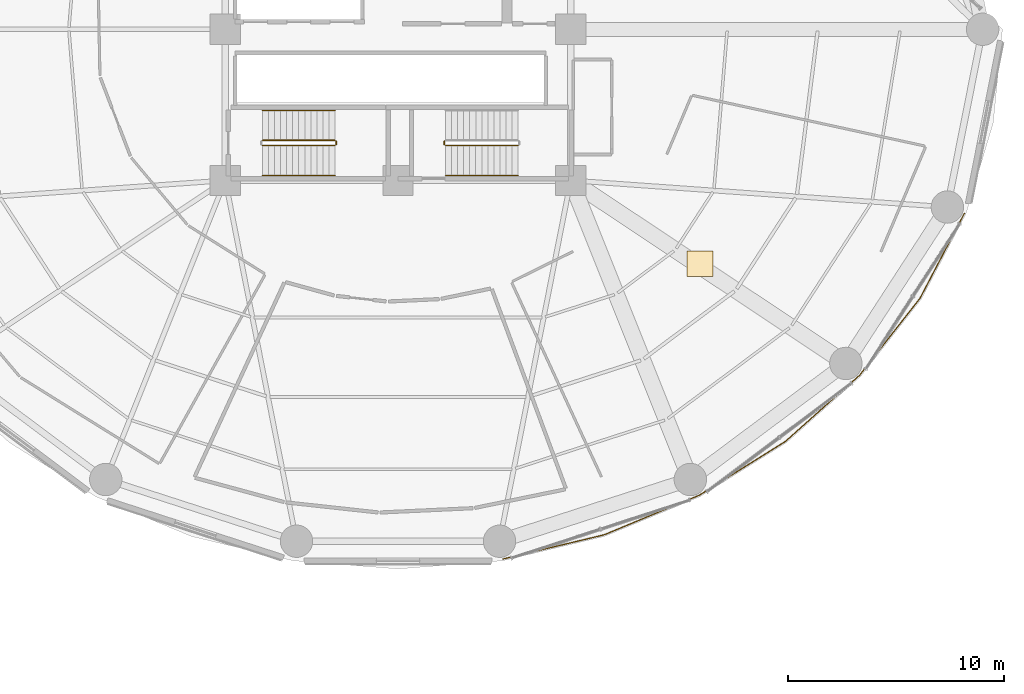
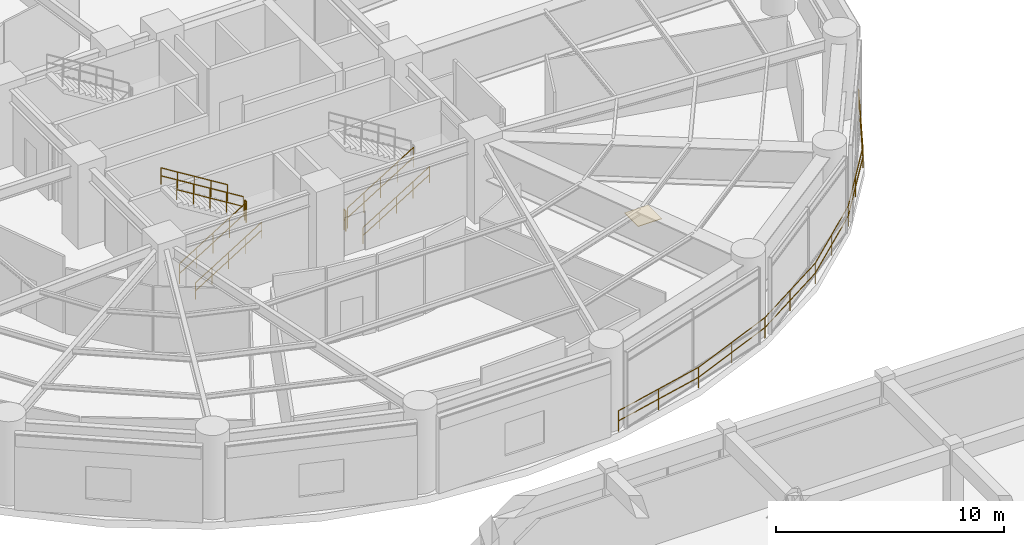
# One storey, part 49 of 52: 9 railings, 1 covering.
"""IFC4 building model written with IfcOpenShell, lengths in metres."""

from ifc_helpers import new_model, si_unit, direction, frame, origin, origin_2d, place, context, subcontext, project, spatial, polyline, rectangle, outline, extrude, source, transform, mapped, material, layer, layer_set, type_object, element, save


model = new_model("IFC4")

# Units and contexts
model_context = context("Model", 3, precision=1e-05, world=origin(), true_north=direction((0.0, 1.0)))
body_context = subcontext(model_context, "Body", "Model", "MODEL_VIEW")
ifc_project = project(units=[si_unit("LENGTHUNIT", "METRE"), si_unit("AREAUNIT", "SQUARE_METRE"), si_unit("VOLUMEUNIT", "CUBIC_METRE"), si_unit("PLANEANGLEUNIT", "RADIAN"), si_unit("MASSUNIT", "GRAM", prefix="KILO")], contexts=[model_context])

# Site, building, storey
site_placement = place(None, origin())
site = spatial("IfcSite", under=ifc_project, at=site_placement, CompositionType="ELEMENT")
building_placement = place(site_placement, origin())
building = spatial("IfcBuilding", under=site, at=building_placement, Name="Kelanora Arch Commons", CompositionType="ELEMENT")
storey_placement = place(building_placement, frame((0.0, 0.0, 13.5)))
storey = spatial("IfcBuildingStorey", under=building, at=storey_placement, Name="L03", CompositionType="ELEMENT", Elevation=13.5)

# Railings
ifc_material_1 = material(Name="Laminated glass and stainless steel balustrade", Category="steel")
railing_type_1 = type_object("IfcRailingType", Name="RAIL-BAL-112", PredefinedType="BALUSTRADE", material=ifc_material_1)
railing_1_placement = place(storey_placement, frame((78.8466796875, 33.458251953125, 0.0)))
element("IfcRailing", 1, at=railing_1_placement, inside=storey, type_object=railing_type_1, Name="Concave Courtyard Overlook Balustrade L03-SE", PredefinedType="BALUSTRADE", context=body_context, shape_type="SweptSolid", body=[
    extrude(outline(polyline([(0.02392578125, 0.0), (0.011962890625, 0.020751953125), (-0.011962890625, 0.020751953125), (-0.02392578125, 0.0), (-0.011962890625, -0.020751953125), (0.011962890625, -0.020751953125), (0.02392578125, 0.0)])), frame((0.0, 0.0, 1.09619140625), z_axis=(0.972593299497, 0.232512953989, 0.0), x_axis=(-0.232512953989, 0.972593299497, 0.0)), (0.0, 0.0, 1.0), 4.83203125),
    extrude(outline(polyline([(0.02392578125, 0.0), (0.011962890625, 0.020751953125), (-0.011962890625, 0.020751953125), (-0.02392578125, 0.0), (-0.011962890625, -0.020751953125), (0.011962890625, -0.020751953125), (0.02392578125, 0.0)])), frame((0.0, 0.0, 0.56005859375), z_axis=(0.972593299497, 0.232512953989, 0.0), x_axis=(-0.232512953989, 0.972593299497, 0.0)), (0.0, 0.0, 1.0), 4.83203125),
    extrude(outline(polyline([(0.02392578125, 0.0), (0.011962890625, 0.020751953125), (-0.011962890625, 0.020751953125), (-0.02392578125, 0.0), (-0.011962890625, -0.020751953125), (0.011962890625, -0.020751953125), (0.02392578125, 0.0)])), frame((4.69970703125, 1.12353515625, 1.09619140625), z_axis=(0.923288490051, 0.384107230001, 0.0), x_axis=(-0.384107230001, 0.923288490051, 0.0)), (0.0, 0.0, 1.0), 4.776611328125),
    extrude(outline(polyline([(0.02392578125, 0.0), (0.011962890625, 0.020751953125), (-0.011962890625, 0.020751953125), (-0.02392578125, 0.0), (-0.011962890625, -0.020751953125), (0.011962890625, -0.020751953125), (0.02392578125, 0.0)])), frame((4.69970703125, 1.12353515625, 0.56005859375), z_axis=(0.923288490051, 0.384107230001, 0.0), x_axis=(-0.384107230001, 0.923288490051, 0.0)), (0.0, 0.0, 1.0), 4.776611328125),
    extrude(outline(polyline([(0.02392578125, 0.0), (0.011962890625, 0.020751953125), (-0.011962890625, 0.020751953125), (-0.02392578125, 0.0), (-0.011962890625, -0.020751953125), (0.011962890625, -0.020751953125), (0.02392578125, 0.0)])), frame((9.10986328125, 2.958251953125, 1.09619140625), z_axis=(0.848097490712, 0.529840208221, 0.0), x_axis=(-0.529840208221, 0.848097490712, 0.0)), (0.0, 0.0, 1.0), 4.700927734375),
    extrude(outline(polyline([(0.02392578125, 0.0), (0.011962890625, 0.020751953125), (-0.011962890625, 0.020751953125), (-0.02392578125, 0.0), (-0.011962890625, -0.020751953125), (0.011962890625, -0.020751953125), (0.02392578125, 0.0)])), frame((9.10986328125, 2.958251953125, 0.56005859375), z_axis=(0.848097490712, 0.529840208221, 0.0), x_axis=(-0.529840208221, 0.848097490712, 0.0)), (0.0, 0.0, 1.0), 4.700927734375),
    extrude(outline(polyline([(0.02392578125, 0.0), (0.011962890625, 0.020751953125), (-0.011962890625, 0.020751953125), (-0.02392578125, 0.0), (-0.011962890625, -0.020751953125), (0.011962890625, -0.020751953125), (0.02392578125, 0.0)])), frame((13.0966796875, 5.448974609375, 1.09619140625), z_axis=(0.746161121454, 0.665765409758, 0.0), x_axis=(-0.665765409758, 0.746161121454, 0.0)), (0.0, 0.0, 1.0), 4.61279296875),
    extrude(outline(polyline([(0.02392578125, 0.0), (0.011962890625, 0.020751953125), (-0.011962890625, 0.020751953125), (-0.02392578125, 0.0), (-0.011962890625, -0.020751953125), (0.011962890625, -0.020751953125), (0.02392578125, 0.0)])), frame((13.0966796875, 5.448974609375, 0.56005859375), z_axis=(0.746161121454, 0.665765409758, 0.0), x_axis=(-0.665765409758, 0.746161121454, 0.0)), (0.0, 0.0, 1.0), 4.61279296875),
    extrude(outline(polyline([(0.02392578125, 0.0), (0.011962890625, 0.020751953125), (-0.011962890625, 0.020751953125), (-0.02392578125, 0.0), (-0.011962890625, -0.020751953125), (0.011962890625, -0.020751953125), (0.02392578125, 0.0)])), frame((16.53857421875, 8.52001953125, 1.09619140625), z_axis=(0.617327980499, 0.786705894533, 0.0), x_axis=(-0.786705894533, 0.617327980499, 0.0)), (0.0, 0.0, 1.0), 4.523193359375),
    extrude(outline(polyline([(0.02392578125, 0.0), (0.011962890625, 0.020751953125), (-0.011962890625, 0.020751953125), (-0.02392578125, 0.0), (-0.011962890625, -0.020751953125), (0.011962890625, -0.020751953125), (0.02392578125, 0.0)])), frame((16.53857421875, 8.52001953125, 0.56005859375), z_axis=(0.617327980499, 0.786705894533, 0.0), x_axis=(-0.786705894533, 0.617327980499, 0.0)), (0.0, 0.0, 1.0), 4.523193359375),
    extrude(outline(polyline([(0.02392578125, 0.0), (0.011962890625, 0.020751953125), (-0.011962890625, 0.020751953125), (-0.02392578125, 0.0), (-0.011962890625, -0.020751953125), (0.011962890625, -0.020751953125), (0.02392578125, 0.0)])), frame((19.330810546875, 12.078369140625, 1.09619140625), z_axis=(0.463187508091, 0.88626030733, 0.0), x_axis=(-0.88626030733, 0.463187508091, 0.0)), (0.0, 0.0, 1.0), 4.44287109375),
    extrude(outline(polyline([(0.02392578125, 0.0), (0.011962890625, 0.020751953125), (-0.011962890625, 0.020751953125), (-0.02392578125, 0.0), (-0.011962890625, -0.020751953125), (0.011962890625, -0.020751953125), (0.02392578125, 0.0)])), frame((19.330810546875, 12.078369140625, 0.56005859375), z_axis=(0.463187508091, 0.88626030733, 0.0), x_axis=(-0.88626030733, 0.463187508091, 0.0)), (0.0, 0.0, 1.0), 4.44287109375),
    extrude(outline(polyline([(0.02099609375, 0.0), (0.010498046875, 0.01806640625), (-0.010498046875, 0.01806640625), (-0.02099609375, 0.0), (-0.010498046875, -0.01806640625), (0.010498046875, -0.01806640625), (0.02099609375, 0.0)])), origin(), (0.0, 0.0, 1.0), 1.072021484375),
    extrude(outline(polyline([(0.02099609375, 0.0), (0.010498046875, 0.01806640625), (-0.010498046875, 0.01806640625), (-0.02099609375, 0.0), (-0.010498046875, -0.01806640625), (0.010498046875, -0.01806640625), (0.02099609375, 0.0)])), frame((2.349853515625, 0.561767578125, 0.0)), (0.0, 0.0, 1.0), 1.072021484375),
    extrude(outline(polyline([(0.02099609375, 0.0), (0.010498046875, 0.01806640625), (-0.010498046875, 0.01806640625), (-0.02099609375, 0.0), (-0.010498046875, -0.01806640625), (0.010498046875, -0.01806640625), (0.02099609375, 0.0)])), frame((4.69970703125, 1.12353515625, 0.0)), (0.0, 0.0, 1.0), 1.072021484375),
    extrude(outline(polyline([(0.02099609375, 0.0), (0.010498046875, 0.01806640625), (-0.010498046875, 0.01806640625), (-0.02099609375, 0.0), (-0.010498046875, -0.01806640625), (0.010498046875, -0.01806640625), (0.02099609375, 0.0)])), frame((6.90478515625, 2.041015625, 0.0)), (0.0, 0.0, 1.0), 1.072021484375),
    extrude(outline(polyline([(0.02099609375, 0.0), (0.010498046875, 0.01806640625), (-0.010498046875, 0.01806640625), (-0.02099609375, 0.0), (-0.010498046875, -0.01806640625), (0.010498046875, -0.01806640625), (0.02099609375, 0.0)])), frame((9.10986328125, 2.958251953125, 0.0)), (0.0, 0.0, 1.0), 1.072021484375),
    extrude(outline(polyline([(0.02099609375, 0.0), (0.010498046875, 0.01806640625), (-0.010498046875, 0.01806640625), (-0.02099609375, 0.0), (-0.010498046875, -0.01806640625), (0.010498046875, -0.01806640625), (0.02099609375, 0.0)])), frame((11.103271484375, 4.20361328125, 0.0)), (0.0, 0.0, 1.0), 1.072021484375),
    extrude(outline(polyline([(0.02099609375, 0.0), (0.010498046875, 0.01806640625), (-0.010498046875, 0.01806640625), (-0.02099609375, 0.0), (-0.010498046875, -0.01806640625), (0.010498046875, -0.01806640625), (0.02099609375, 0.0)])), frame((13.0966796875, 5.448974609375, 0.0)), (0.0, 0.0, 1.0), 1.072021484375),
    extrude(outline(polyline([(0.02099609375, 0.0), (0.010498046875, 0.01806640625), (-0.010498046875, 0.01806640625), (-0.02099609375, 0.0), (-0.010498046875, -0.01806640625), (0.010498046875, -0.01806640625), (0.02099609375, 0.0)])), frame((14.817626953125, 6.984375, 0.0)), (0.0, 0.0, 1.0), 1.072021484375),
    extrude(outline(polyline([(0.02099609375, 0.0), (0.010498046875, 0.01806640625), (-0.010498046875, 0.01806640625), (-0.02099609375, 0.0), (-0.010498046875, -0.01806640625), (0.010498046875, -0.01806640625), (0.02099609375, 0.0)])), frame((16.53857421875, 8.52001953125, 0.0)), (0.0, 0.0, 1.0), 1.072021484375),
    extrude(outline(polyline([(0.02099609375, 0.0), (0.010498046875, 0.01806640625), (-0.010498046875, 0.01806640625), (-0.02099609375, 0.0), (-0.010498046875, -0.01806640625), (0.010498046875, -0.01806640625), (0.02099609375, 0.0)])), frame((17.9345703125, 10.29931640625, 0.0)), (0.0, 0.0, 1.0), 1.072021484375),
    extrude(outline(polyline([(0.02099609375, 0.0), (0.010498046875, 0.01806640625), (-0.010498046875, 0.01806640625), (-0.02099609375, 0.0), (-0.010498046875, -0.01806640625), (0.010498046875, -0.01806640625), (0.02099609375, 0.0)])), frame((19.330810546875, 12.078369140625, 0.0)), (0.0, 0.0, 1.0), 1.072021484375),
    extrude(outline(polyline([(0.02099609375, 0.0), (0.010498046875, 0.01806640625), (-0.010498046875, 0.01806640625), (-0.02099609375, 0.0), (-0.010498046875, -0.01806640625), (0.010498046875, -0.01806640625), (0.02099609375, 0.0)])), frame((21.388671875, 16.015869140625, 0.0)), (0.0, 0.0, 1.0), 1.072021484375),
])
ifc_material_2 = material(Name="Painted steel stair well guard", Category="steel")
railing_type_2 = type_object("IfcRailingType", Name="RAIL-STAIR-GRD", PredefinedType="GUARDRAIL", material=ifc_material_2)
railing_2_placement = place(storey_placement, frame((76.199951171875, 52.610107421875, 0.173095703125)))
element("IfcRailing", 2, at=railing_2_placement, inside=storey, type_object=railing_type_2, Name="L03 ST-T2 stair guard 1", PredefinedType="GUARDRAIL", context=body_context, shape_type="SweptSolid", body=[
    extrude(outline(polyline([(0.02392578125, 0.0), (0.011962890625, 0.020751953125), (-0.011962890625, 0.020751953125), (-0.02392578125, 0.0), (-0.011962890625, -0.020751953125), (0.011962890625, -0.020751953125), (0.02392578125, 0.0)])), frame((0.0, 0.0, 1.076171875), z_axis=(0.850623216509, 0.0, 0.525775754039), x_axis=(0.0, 1.0, 0.0)), (0.0, 0.0, 1.0), 3.9501953125),
    extrude(outline(polyline([(0.02392578125, 0.0), (0.011962890625, 0.020751953125), (-0.011962890625, 0.020751953125), (-0.02392578125, 0.0), (-0.011962890625, -0.020751953125), (0.011962890625, -0.020751953125), (0.02392578125, 0.0)])), frame((0.0, 0.0, 0.550048828125), z_axis=(0.850623216509, 0.0, 0.525775754039), x_axis=(0.0, 1.0, 0.0)), (0.0, 0.0, 1.0), 3.9501953125),
    extrude(outline(polyline([(0.02099609375, 0.0), (0.010498046875, 0.01806640625), (-0.010498046875, 0.01806640625), (-0.02099609375, 0.0), (-0.010498046875, -0.01806640625), (0.010498046875, -0.01806640625), (0.02099609375, 0.0)])), origin(), (0.0, 0.0, 1.0), 1.052001953125),
    extrude(outline(polyline([(0.02099609375, 0.0), (0.010498046875, 0.01806640625), (-0.010498046875, 0.01806640625), (-0.02099609375, 0.0), (-0.010498046875, -0.01806640625), (0.010498046875, -0.01806640625), (0.02099609375, 0.0)])), frame((0.840087890625, 0.0, 0.519287109375)), (0.0, 0.0, 1.0), 1.052001953125),
    extrude(outline(polyline([(0.02099609375, 0.0), (0.010498046875, 0.01806640625), (-0.010498046875, 0.01806640625), (-0.02099609375, 0.0), (-0.010498046875, -0.01806640625), (0.010498046875, -0.01806640625), (0.02099609375, 0.0)])), frame((1.68017578125, 0.0, 1.03857421875)), (0.0, 0.0, 1.0), 1.052001953125),
    extrude(outline(polyline([(0.02099609375, 0.0), (0.010498046875, 0.01806640625), (-0.010498046875, 0.01806640625), (-0.02099609375, 0.0), (-0.010498046875, -0.01806640625), (0.010498046875, -0.01806640625), (0.02099609375, 0.0)])), frame((2.52001953125, 0.0, 1.5576171875)), (0.0, 0.0, 1.0), 1.052001953125),
    extrude(outline(polyline([(0.02099609375, 0.0), (0.010498046875, 0.01806640625), (-0.010498046875, 0.01806640625), (-0.02099609375, 0.0), (-0.010498046875, -0.01806640625), (0.010498046875, -0.01806640625), (0.02099609375, 0.0)])), frame((3.360107421875, 0.0, 2.076904296875)), (0.0, 0.0, 1.0), 1.052001953125),
])
railing_3_placement = place(storey_placement, frame((76.14990234375, 52.659912109375, 0.0)))
element("IfcRailing", 3, at=railing_3_placement, inside=storey, type_object=railing_type_2, Name="L03 ST-T2 stair guard 4", PredefinedType="GUARDRAIL", context=body_context, shape_type="SweptSolid", body=[
    extrude(outline(polyline([(0.02392578125, 0.0), (0.011962890625, 0.020751953125), (-0.011962890625, 0.020751953125), (-0.02392578125, 0.0), (-0.011962890625, -0.020751953125), (0.011962890625, -0.020751953125), (0.02392578125, 0.0)])), frame((0.0, 0.0, 1.076171875), z_axis=(0.0, 1.0, 0.0), x_axis=(-1.0, 0.0, 0.0)), (0.0, 0.0, 1.0), 0.150146484375),
    extrude(outline(polyline([(0.02392578125, 0.0), (0.011962890625, 0.020751953125), (-0.011962890625, 0.020751953125), (-0.02392578125, 0.0), (-0.011962890625, -0.020751953125), (0.011962890625, -0.020751953125), (0.02392578125, 0.0)])), frame((0.0, 0.0, 0.550048828125), z_axis=(0.0, 1.0, 0.0), x_axis=(-1.0, 0.0, 0.0)), (0.0, 0.0, 1.0), 0.150146484375),
    extrude(outline(polyline([(0.02099609375, 0.0), (0.010498046875, 0.01806640625), (-0.010498046875, 0.01806640625), (-0.02099609375, 0.0), (-0.010498046875, -0.01806640625), (0.010498046875, -0.01806640625), (0.02099609375, 0.0)])), origin(), (0.0, 0.0, 1.0), 1.052001953125),
    extrude(outline(polyline([(0.02099609375, 0.0), (0.010498046875, 0.01806640625), (-0.010498046875, 0.01806640625), (-0.02099609375, 0.0), (-0.010498046875, -0.01806640625), (0.010498046875, -0.01806640625), (0.02099609375, 0.0)])), frame((0.0, 0.150146484375, 0.0)), (0.0, 0.0, 1.0), 1.052001953125),
])
railing_4_placement = place(storey_placement, frame((67.719970703125, 52.610107421875, 0.173095703125)))
element("IfcRailing", 4, at=railing_4_placement, inside=storey, type_object=railing_type_2, Name="L03 ST-T3 stair guard 1", PredefinedType="GUARDRAIL", context=body_context, shape_type="SweptSolid", body=[
    extrude(outline(polyline([(0.02392578125, 0.0), (0.011962890625, 0.020751953125), (-0.011962890625, 0.020751953125), (-0.02392578125, 0.0), (-0.011962890625, -0.020751953125), (0.011962890625, -0.020751953125), (0.02392578125, 0.0)])), frame((0.0, 0.0, 1.076171875), z_axis=(0.850623216509, 0.0, 0.525775754039), x_axis=(0.0, 1.0, 0.0)), (0.0, 0.0, 1.0), 3.9501953125),
    extrude(outline(polyline([(0.02392578125, 0.0), (0.011962890625, 0.020751953125), (-0.011962890625, 0.020751953125), (-0.02392578125, 0.0), (-0.011962890625, -0.020751953125), (0.011962890625, -0.020751953125), (0.02392578125, 0.0)])), frame((0.0, 0.0, 0.550048828125), z_axis=(0.850623216509, 0.0, 0.525775754039), x_axis=(0.0, 1.0, 0.0)), (0.0, 0.0, 1.0), 3.9501953125),
    extrude(outline(polyline([(0.02099609375, 0.0), (0.010498046875, 0.01806640625), (-0.010498046875, 0.01806640625), (-0.02099609375, 0.0), (-0.010498046875, -0.01806640625), (0.010498046875, -0.01806640625), (0.02099609375, 0.0)])), origin(), (0.0, 0.0, 1.0), 1.052001953125),
    extrude(outline(polyline([(0.02099609375, 0.0), (0.010498046875, 0.01806640625), (-0.010498046875, 0.01806640625), (-0.02099609375, 0.0), (-0.010498046875, -0.01806640625), (0.010498046875, -0.01806640625), (0.02099609375, 0.0)])), frame((0.840087890625, 0.0, 0.519287109375)), (0.0, 0.0, 1.0), 1.052001953125),
    extrude(outline(polyline([(0.02099609375, 0.0), (0.010498046875, 0.01806640625), (-0.010498046875, 0.01806640625), (-0.02099609375, 0.0), (-0.010498046875, -0.01806640625), (0.010498046875, -0.01806640625), (0.02099609375, 0.0)])), frame((1.68017578125, 0.0, 1.03857421875)), (0.0, 0.0, 1.0), 1.052001953125),
    extrude(outline(polyline([(0.02099609375, 0.0), (0.010498046875, 0.01806640625), (-0.010498046875, 0.01806640625), (-0.02099609375, 0.0), (-0.010498046875, -0.01806640625), (0.010498046875, -0.01806640625), (0.02099609375, 0.0)])), frame((2.52001953125, 0.0, 1.5576171875)), (0.0, 0.0, 1.0), 1.052001953125),
    extrude(outline(polyline([(0.02099609375, 0.0), (0.010498046875, 0.01806640625), (-0.010498046875, 0.01806640625), (-0.02099609375, 0.0), (-0.010498046875, -0.01806640625), (0.010498046875, -0.01806640625), (0.02099609375, 0.0)])), frame((3.360107421875, 0.0, 2.076904296875)), (0.0, 0.0, 1.0), 1.052001953125),
])
railing_5_placement = place(storey_placement, frame((71.1298828125, 52.659912109375, 2.25)))
element("IfcRailing", 5, at=railing_5_placement, inside=storey, type_object=railing_type_2, Name="L03 ST-T3 stair guard 2", PredefinedType="GUARDRAIL", context=body_context, shape_type="SweptSolid", body=[
    extrude(outline(polyline([(0.02392578125, 0.0), (0.011962890625, 0.020751953125), (-0.011962890625, 0.020751953125), (-0.02392578125, 0.0), (-0.011962890625, -0.020751953125), (0.011962890625, -0.020751953125), (0.02392578125, 0.0)])), frame((0.0, 0.0, 1.076171875), z_axis=(0.0, 1.0, 0.0), x_axis=(-1.0, 0.0, 0.0)), (0.0, 0.0, 1.0), 0.150146484375),
    extrude(outline(polyline([(0.02392578125, 0.0), (0.011962890625, 0.020751953125), (-0.011962890625, 0.020751953125), (-0.02392578125, 0.0), (-0.011962890625, -0.020751953125), (0.011962890625, -0.020751953125), (0.02392578125, 0.0)])), frame((0.0, 0.0, 0.550048828125), z_axis=(0.0, 1.0, 0.0), x_axis=(-1.0, 0.0, 0.0)), (0.0, 0.0, 1.0), 0.150146484375),
    extrude(outline(polyline([(0.02099609375, 0.0), (0.010498046875, 0.01806640625), (-0.010498046875, 0.01806640625), (-0.02099609375, 0.0), (-0.010498046875, -0.01806640625), (0.010498046875, -0.01806640625), (0.02099609375, 0.0)])), origin(), (0.0, 0.0, 1.0), 1.052001953125),
    extrude(outline(polyline([(0.02099609375, 0.0), (0.010498046875, 0.01806640625), (-0.010498046875, 0.01806640625), (-0.02099609375, 0.0), (-0.010498046875, -0.01806640625), (0.010498046875, -0.01806640625), (0.02099609375, 0.0)])), frame((0.0, 0.150146484375, 0.0)), (0.0, 0.0, 1.0), 1.052001953125),
])
railing_6_placement = place(storey_placement, frame((71.080078125, 52.860107421875, 2.423095703125)))
element("IfcRailing", 6, at=railing_6_placement, inside=storey, type_object=railing_type_2, Name="L03 ST-T3 stair guard 3", PredefinedType="GUARDRAIL", context=body_context, shape_type="SweptSolid", body=[
    extrude(outline(polyline([(0.02392578125, 0.0), (0.011962890625, 0.020751953125), (-0.011962890625, 0.020751953125), (-0.02392578125, 0.0), (-0.011962890625, -0.020751953125), (0.011962890625, -0.020751953125), (0.02392578125, 0.0)])), frame((0.0, 0.0, 1.076171875), z_axis=(-0.850623216509, 0.0, 0.525775754039), x_axis=(0.0, -1.0, 0.0)), (0.0, 0.0, 1.0), 3.9501953125),
    extrude(outline(polyline([(0.02392578125, 0.0), (0.011962890625, 0.020751953125), (-0.011962890625, 0.020751953125), (-0.02392578125, 0.0), (-0.011962890625, -0.020751953125), (0.011962890625, -0.020751953125), (0.02392578125, 0.0)])), frame((0.0, 0.0, 0.550048828125), z_axis=(-0.850623216509, 0.0, 0.525775754039), x_axis=(0.0, -1.0, 0.0)), (0.0, 0.0, 1.0), 3.9501953125),
    extrude(outline(polyline([(0.02099609375, 0.0), (0.010498046875, 0.01806640625), (-0.010498046875, 0.01806640625), (-0.02099609375, 0.0), (-0.010498046875, -0.01806640625), (0.010498046875, -0.01806640625), (0.02099609375, 0.0)])), origin(), (0.0, 0.0, 1.0), 1.052001953125),
    extrude(outline(polyline([(0.02099609375, 0.0), (0.010498046875, 0.01806640625), (-0.010498046875, 0.01806640625), (-0.02099609375, 0.0), (-0.010498046875, -0.01806640625), (0.010498046875, -0.01806640625), (0.02099609375, 0.0)])), frame((-0.840087890625, 0.0, 0.519287109375)), (0.0, 0.0, 1.0), 1.052001953125),
    extrude(outline(polyline([(0.02099609375, 0.0), (0.010498046875, 0.01806640625), (-0.010498046875, 0.01806640625), (-0.02099609375, 0.0), (-0.010498046875, -0.01806640625), (0.010498046875, -0.01806640625), (0.02099609375, 0.0)])), frame((-1.68017578125, 0.0, 1.03857421875)), (0.0, 0.0, 1.0), 1.052001953125),
    extrude(outline(polyline([(0.02099609375, 0.0), (0.010498046875, 0.01806640625), (-0.010498046875, 0.01806640625), (-0.02099609375, 0.0), (-0.010498046875, -0.01806640625), (0.010498046875, -0.01806640625), (0.02099609375, 0.0)])), frame((-2.52001953125, 0.0, 1.5576171875)), (0.0, 0.0, 1.0), 1.052001953125),
    extrude(outline(polyline([(0.02099609375, 0.0), (0.010498046875, 0.01806640625), (-0.010498046875, 0.01806640625), (-0.02099609375, 0.0), (-0.010498046875, -0.01806640625), (0.010498046875, -0.01806640625), (0.02099609375, 0.0)])), frame((-3.360107421875, 0.0, 2.076904296875)), (0.0, 0.0, 1.0), 1.052001953125),
])
ifc_material_3 = material(Name="Brushed stainless steel stair handrail", Category="steel")
railing_type_3 = type_object("IfcRailingType", Name="RAIL-STAIR-HND", PredefinedType="HANDRAIL", material=ifc_material_3)
railing_7_placement = place(storey_placement, frame((76.199951171875, 51.22998046875, 0.173095703125)))
element("IfcRailing", 7, at=railing_7_placement, inside=storey, type_object=railing_type_3, Name="L03 ST-T2 stair handrail 1", PredefinedType="HANDRAIL", context=body_context, shape_type="SweptSolid", body=[
    extrude(outline(polyline([(0.02392578125, 0.0), (0.011962890625, 0.020751953125), (-0.011962890625, 0.020751953125), (-0.02392578125, 0.0), (-0.011962890625, -0.020751953125), (0.011962890625, -0.020751953125), (0.02392578125, 0.0)])), frame((0.0, 0.0, 0.8759765625), z_axis=(0.850623216509, 0.0, 0.525775754039), x_axis=(0.0, 1.0, 0.0)), (0.0, 0.0, 1.0), 3.9501953125),
    extrude(outline(polyline([(0.02392578125, 0.0), (0.011962890625, 0.020751953125), (-0.011962890625, 0.020751953125), (-0.02392578125, 0.0), (-0.011962890625, -0.020751953125), (0.011962890625, -0.020751953125), (0.02392578125, 0.0)])), frame((0.0, 0.0, 0.449951171875), z_axis=(0.850623216509, 0.0, 0.525775754039), x_axis=(0.0, 1.0, 0.0)), (0.0, 0.0, 1.0), 3.9501953125),
    extrude(outline(polyline([(0.02099609375, 0.0), (0.010498046875, 0.01806640625), (-0.010498046875, 0.01806640625), (-0.02099609375, 0.0), (-0.010498046875, -0.01806640625), (0.010498046875, -0.01806640625), (0.02099609375, 0.0)])), origin(), (0.0, 0.0, 1.0), 0.851806640625),
    extrude(outline(polyline([(0.02099609375, 0.0), (0.010498046875, 0.01806640625), (-0.010498046875, 0.01806640625), (-0.02099609375, 0.0), (-0.010498046875, -0.01806640625), (0.010498046875, -0.01806640625), (0.02099609375, 0.0)])), frame((0.840087890625, 0.0, 0.519287109375)), (0.0, 0.0, 1.0), 0.851806640625),
    extrude(outline(polyline([(0.02099609375, 0.0), (0.010498046875, 0.01806640625), (-0.010498046875, 0.01806640625), (-0.02099609375, 0.0), (-0.010498046875, -0.01806640625), (0.010498046875, -0.01806640625), (0.02099609375, 0.0)])), frame((1.68017578125, 0.0, 1.03857421875)), (0.0, 0.0, 1.0), 0.851806640625),
    extrude(outline(polyline([(0.02099609375, 0.0), (0.010498046875, 0.01806640625), (-0.010498046875, 0.01806640625), (-0.02099609375, 0.0), (-0.010498046875, -0.01806640625), (0.010498046875, -0.01806640625), (0.02099609375, 0.0)])), frame((2.52001953125, 0.0, 1.5576171875)), (0.0, 0.0, 1.0), 0.851806640625),
    extrude(outline(polyline([(0.02099609375, 0.0), (0.010498046875, 0.01806640625), (-0.010498046875, 0.01806640625), (-0.02099609375, 0.0), (-0.010498046875, -0.01806640625), (0.010498046875, -0.01806640625), (0.02099609375, 0.0)])), frame((3.360107421875, 0.0, 2.076904296875)), (0.0, 0.0, 1.0), 0.851806640625),
])
railing_8_placement = place(storey_placement, frame((67.719970703125, 51.22998046875, 0.173095703125)))
element("IfcRailing", 8, at=railing_8_placement, inside=storey, type_object=railing_type_3, Name="L03 ST-T3 stair handrail 1", PredefinedType="HANDRAIL", context=body_context, shape_type="SweptSolid", body=[
    extrude(outline(polyline([(0.02392578125, 0.0), (0.011962890625, 0.020751953125), (-0.011962890625, 0.020751953125), (-0.02392578125, 0.0), (-0.011962890625, -0.020751953125), (0.011962890625, -0.020751953125), (0.02392578125, 0.0)])), frame((0.0, 0.0, 0.8759765625), z_axis=(0.850623216509, 0.0, 0.525775754039), x_axis=(0.0, 1.0, 0.0)), (0.0, 0.0, 1.0), 3.9501953125),
    extrude(outline(polyline([(0.02392578125, 0.0), (0.011962890625, 0.020751953125), (-0.011962890625, 0.020751953125), (-0.02392578125, 0.0), (-0.011962890625, -0.020751953125), (0.011962890625, -0.020751953125), (0.02392578125, 0.0)])), frame((0.0, 0.0, 0.449951171875), z_axis=(0.850623216509, 0.0, 0.525775754039), x_axis=(0.0, 1.0, 0.0)), (0.0, 0.0, 1.0), 3.9501953125),
    extrude(outline(polyline([(0.02099609375, 0.0), (0.010498046875, 0.01806640625), (-0.010498046875, 0.01806640625), (-0.02099609375, 0.0), (-0.010498046875, -0.01806640625), (0.010498046875, -0.01806640625), (0.02099609375, 0.0)])), origin(), (0.0, 0.0, 1.0), 0.851806640625),
    extrude(outline(polyline([(0.02099609375, 0.0), (0.010498046875, 0.01806640625), (-0.010498046875, 0.01806640625), (-0.02099609375, 0.0), (-0.010498046875, -0.01806640625), (0.010498046875, -0.01806640625), (0.02099609375, 0.0)])), frame((0.840087890625, 0.0, 0.519287109375)), (0.0, 0.0, 1.0), 0.851806640625),
    extrude(outline(polyline([(0.02099609375, 0.0), (0.010498046875, 0.01806640625), (-0.010498046875, 0.01806640625), (-0.02099609375, 0.0), (-0.010498046875, -0.01806640625), (0.010498046875, -0.01806640625), (0.02099609375, 0.0)])), frame((1.68017578125, 0.0, 1.03857421875)), (0.0, 0.0, 1.0), 0.851806640625),
    extrude(outline(polyline([(0.02099609375, 0.0), (0.010498046875, 0.01806640625), (-0.010498046875, 0.01806640625), (-0.02099609375, 0.0), (-0.010498046875, -0.01806640625), (0.010498046875, -0.01806640625), (0.02099609375, 0.0)])), frame((2.52001953125, 0.0, 1.5576171875)), (0.0, 0.0, 1.0), 0.851806640625),
    extrude(outline(polyline([(0.02099609375, 0.0), (0.010498046875, 0.01806640625), (-0.010498046875, 0.01806640625), (-0.02099609375, 0.0), (-0.010498046875, -0.01806640625), (0.010498046875, -0.01806640625), (0.02099609375, 0.0)])), frame((3.360107421875, 0.0, 2.076904296875)), (0.0, 0.0, 1.0), 0.851806640625),
])
railing_9_placement = place(storey_placement, frame((71.080078125, 54.239990234375, 2.423095703125)))
element("IfcRailing", 9, at=railing_9_placement, inside=storey, type_object=railing_type_3, Name="L03 ST-T3 stair handrail 2", PredefinedType="HANDRAIL", context=body_context, shape_type="SweptSolid", body=[
    extrude(outline(polyline([(0.02392578125, 0.0), (0.011962890625, 0.020751953125), (-0.011962890625, 0.020751953125), (-0.02392578125, 0.0), (-0.011962890625, -0.020751953125), (0.011962890625, -0.020751953125), (0.02392578125, 0.0)])), frame((0.0, 0.0, 0.8759765625), z_axis=(-0.850623216509, 0.0, 0.525775754039), x_axis=(0.0, -1.0, 0.0)), (0.0, 0.0, 1.0), 3.9501953125),
    extrude(outline(polyline([(0.02392578125, 0.0), (0.011962890625, 0.020751953125), (-0.011962890625, 0.020751953125), (-0.02392578125, 0.0), (-0.011962890625, -0.020751953125), (0.011962890625, -0.020751953125), (0.02392578125, 0.0)])), frame((0.0, 0.0, 0.449951171875), z_axis=(-0.850623216509, 0.0, 0.525775754039), x_axis=(0.0, -1.0, 0.0)), (0.0, 0.0, 1.0), 3.9501953125),
    extrude(outline(polyline([(0.02099609375, 0.0), (0.010498046875, 0.01806640625), (-0.010498046875, 0.01806640625), (-0.02099609375, 0.0), (-0.010498046875, -0.01806640625), (0.010498046875, -0.01806640625), (0.02099609375, 0.0)])), origin(), (0.0, 0.0, 1.0), 0.851806640625),
    extrude(outline(polyline([(0.02099609375, 0.0), (0.010498046875, 0.01806640625), (-0.010498046875, 0.01806640625), (-0.02099609375, 0.0), (-0.010498046875, -0.01806640625), (0.010498046875, -0.01806640625), (0.02099609375, 0.0)])), frame((-0.840087890625, 0.0, 0.519287109375)), (0.0, 0.0, 1.0), 0.851806640625),
    extrude(outline(polyline([(0.02099609375, 0.0), (0.010498046875, 0.01806640625), (-0.010498046875, 0.01806640625), (-0.02099609375, 0.0), (-0.010498046875, -0.01806640625), (0.010498046875, -0.01806640625), (0.02099609375, 0.0)])), frame((-1.68017578125, 0.0, 1.03857421875)), (0.0, 0.0, 1.0), 0.851806640625),
    extrude(outline(polyline([(0.02099609375, 0.0), (0.010498046875, 0.01806640625), (-0.010498046875, 0.01806640625), (-0.02099609375, 0.0), (-0.010498046875, -0.01806640625), (0.010498046875, -0.01806640625), (0.02099609375, 0.0)])), frame((-2.52001953125, 0.0, 1.5576171875)), (0.0, 0.0, 1.0), 0.851806640625),
    extrude(outline(polyline([(0.02099609375, 0.0), (0.010498046875, 0.01806640625), (-0.010498046875, 0.01806640625), (-0.02099609375, 0.0), (-0.010498046875, -0.01806640625), (0.010498046875, -0.01806640625), (0.02099609375, 0.0)])), frame((-3.360107421875, 0.0, 2.076904296875)), (0.0, 0.0, 1.0), 0.851806640625),
])

# Covering
ifc_material_4 = material(Name="Polished local granite terrazzo flooring", Category="masonry")
ifc_layer = layer(ifc_material_4, 0.030029296875)
ifc_layer_set = layer_set([ifc_layer], Name="Polished local granite terrazzo flooring")
covering_type = type_object("IfcCoveringType", Name="COV-FLR-TER", PredefinedType="FLOORING", material=ifc_layer_set)
shared_shape = source(origin(), body_context, "Body", "SweptSolid", [
    extrude(rectangle(XDim=1.199951171875, YDim=1.199951171875, at=origin_2d()), origin(), (0.0, 0.0, 1.0), 0.030029296875),
])
covering_placement = place(storey_placement, frame((87.9912109375, 47.140380859375, 0.0), z_axis=(0.0, 0.0, 1.0), x_axis=(1.0, 0.0, 0.0)))
element("IfcCovering", 10, at=covering_placement, inside=storey, type_object=covering_type, Name="Quiet Library Reading Gallery L03-D Terrazzo Finish", PredefinedType="FLOORING", context=body_context, shape_type="MappedRepresentation", body=[
    mapped(shared_shape, transform((0.0, 0.0, 0.0), scale=1.0)),
])

save(model, "model.ifc")
